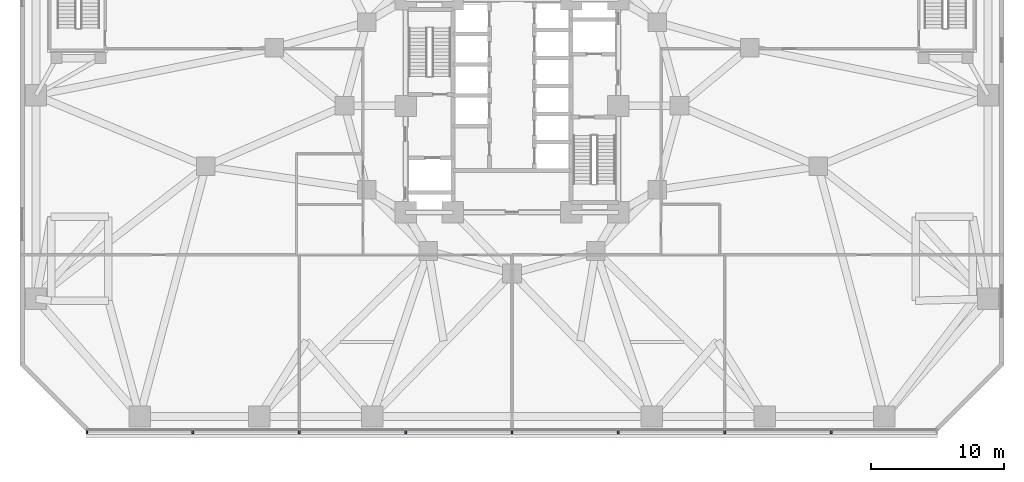
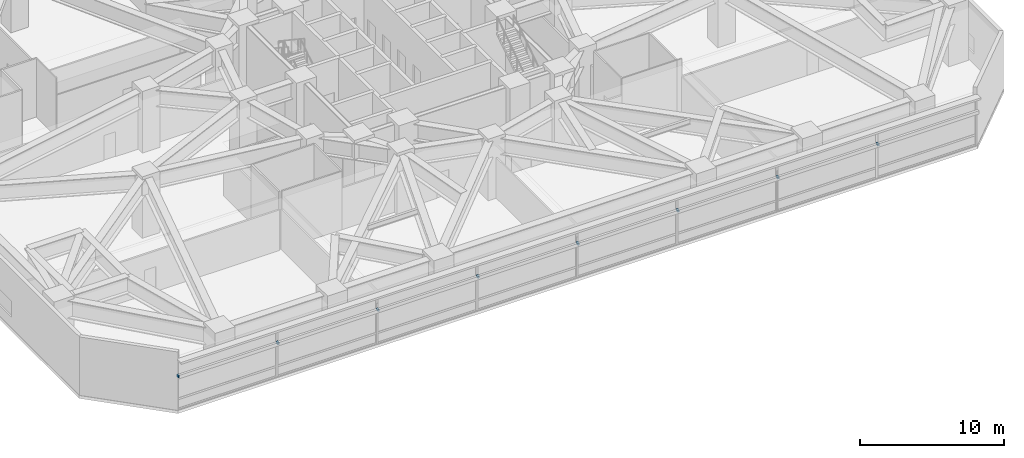
# One storey, part 19 of 27: 8 discrete accessories.
"""IFC4 building model written with IfcOpenShell, lengths in metres."""

from ifc_helpers import new_model, si_unit, direction, frame, origin, origin_2d, place, context, subcontext, project, spatial, rectangle, extrude, material, type_object, element, save


model = new_model("IFC4")

# Units and contexts
model_context = context("Model", 3, precision=1e-05, world=origin(), true_north=direction((0.0, 1.0)))
body_context = subcontext(model_context, "Body", "Model", "MODEL_VIEW")
ifc_project = project(units=[si_unit("LENGTHUNIT", "METRE"), si_unit("AREAUNIT", "SQUARE_METRE"), si_unit("VOLUMEUNIT", "CUBIC_METRE"), si_unit("PLANEANGLEUNIT", "RADIAN"), si_unit("MASSUNIT", "GRAM", prefix="KILO")], contexts=[model_context])

# Site, building, storey
site_placement = place(None, origin())
site = spatial("IfcSite", under=ifc_project, at=site_placement, CompositionType="ELEMENT")
building_placement = place(site_placement, origin())
building = spatial("IfcBuilding", under=site, at=building_placement, Name="Terralouvre Media Tower", CompositionType="ELEMENT")
storey_placement = place(building_placement, frame((0.0, 0.0, 20.800048828125)))
storey = spatial("IfcBuildingStorey", under=building, at=storey_placement, Name="L04", CompositionType="ELEMENT", Elevation=20.800048828125)

# Discrete accessories
ifc_material = material(Name="Anodised extruded aluminium 6063-T6", Category="aluminium")
discrete_accessory_type = type_object("IfcDiscreteAccessoryType", Name="Mullion Stand-Off Baguette Fixing Bracket BK-01", PredefinedType="BRACKET", material=ifc_material)
for number, where, z_axis, x_axis, name in (
    (1, (-31.96240234375, -24.52001953125, 2.8681640625), (0.0, 0.0, 1.0), (1.0, 0.0, 0.0), "CW-L04-F0 Baguette Outrigger Bracket 1.01"),
    (2, (-24.0, -24.52001953125, 2.8681640625), (0.0, 0.0, 1.0), (1.0, 0.0, 0.0), "CW-L04-F0 Baguette Outrigger Bracket 1.02"),
    (3, (-16.0, -24.52001953125, 2.8681640625), (0.0, 0.0, 1.0), (1.0, 0.0, 0.0), "CW-L04-F0 Baguette Outrigger Bracket 1.03"),
    (4, (-8.0, -24.52001953125, 2.8681640625), (0.0, 0.0, 1.0), (1.0, 0.0, 0.0), "CW-L04-F0 Baguette Outrigger Bracket 1.04"),
    (5, (0.0, -24.52001953125, 2.8681640625), (0.0, 0.0, 1.0), (1.0, 0.0, 0.0), "CW-L04-F0 Baguette Outrigger Bracket 1.05"),
    (6, (8.0, -24.52001953125, 2.8681640625), (0.0, 0.0, 1.0), (1.0, 0.0, 0.0), "CW-L04-F0 Baguette Outrigger Bracket 1.06"),
    (7, (16.0, -24.52001953125, 2.8681640625), (0.0, 0.0, 1.0), (1.0, 0.0, 0.0), "CW-L04-F0 Baguette Outrigger Bracket 1.07"),
    (8, (24.0, -24.52001953125, 2.8681640625), (0.0, 0.0, 1.0), (1.0, 0.0, 0.0), "CW-L04-F0 Baguette Outrigger Bracket 1.08"),
):
    element("IfcDiscreteAccessory", number, at=place(storey_placement, frame(where, z_axis=z_axis, x_axis=x_axis)), inside=storey, type_object=discrete_accessory_type, Name=name, PredefinedType="BRACKET", context=body_context, shape_type="SweptSolid", body=[
        extrude(rectangle(XDim=0.139892578125, YDim=0.239990234375, at=origin_2d()), origin(), (0.0, 0.0, 1.0), 0.179931640625),
    ])

save(model, "model.ifc")
